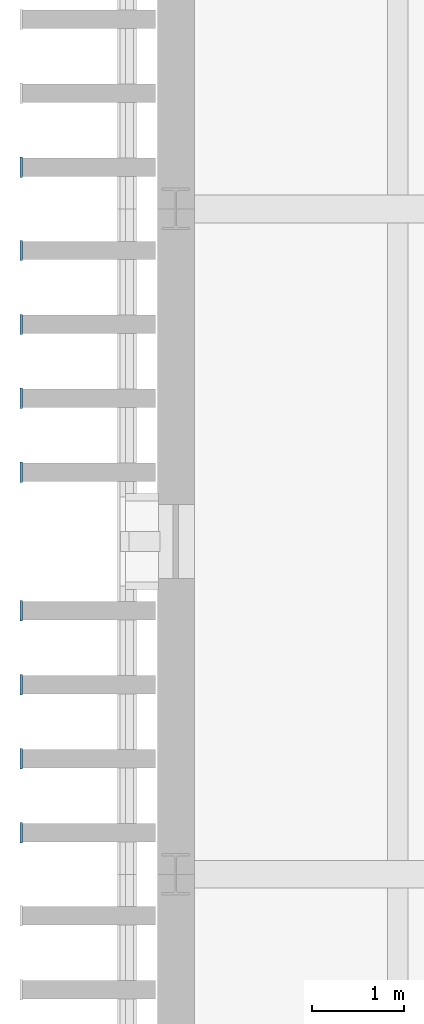
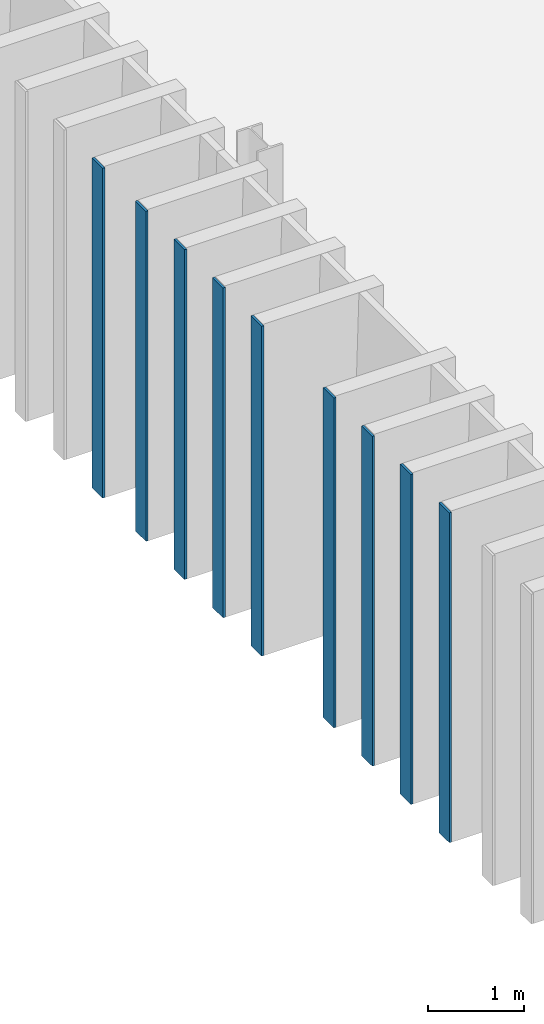
# One storey, part 43 of 91: 9 plates.
"""IFC4 building model written with IfcOpenShell, lengths in metres."""

from ifc_helpers import new_model, si_unit, direction, frame, origin, origin_2d, place, context, subcontext, project, spatial, rectangle, extrude, material, layer, layer_set, type_object, element, save


model = new_model("IFC4")

# Units and contexts
model_context = context("Model", 3, precision=1e-05, world=origin(), true_north=direction((0.0, 1.0)))
body_context = subcontext(model_context, "Body", "Model", "MODEL_VIEW")
ifc_project = project(units=[si_unit("LENGTHUNIT", "METRE"), si_unit("AREAUNIT", "SQUARE_METRE"), si_unit("VOLUMEUNIT", "CUBIC_METRE"), si_unit("PLANEANGLEUNIT", "RADIAN"), si_unit("MASSUNIT", "GRAM", prefix="KILO")], contexts=[model_context])

# Site, building, storey
site_placement = place(None, origin())
site = spatial("IfcSite", under=ifc_project, at=site_placement, CompositionType="ELEMENT")
building_placement = place(site_placement, origin())
building = spatial("IfcBuilding", under=site, at=building_placement, Name="Narikvali Park Central Library", CompositionType="ELEMENT")
storey_placement = place(building_placement, frame((0.0, 0.0, 14.39990234375)))
storey = spatial("IfcBuildingStorey", under=building, at=storey_placement, Name="L03", CompositionType="ELEMENT", Elevation=14.39990234375)

# Plates
ifc_material = material(Name="Anodised Bronze Aluminium", Category="aluminium")
ifc_layer = layer(ifc_material, 0.028076171875, Name="Anodised Bronze Aluminium")
ifc_layer_set = layer_set([ifc_layer], Name="Anodised Bronze Aluminium")
plate_type = type_object("IfcPlateType", Name="Vertical Brick Fin Bronze Bullnose Cap 28", PredefinedType="SHEET", material=ifc_layer_set)
for number, where, z_axis, x_axis, name in (
    (1, (-1.672119140625, 79.64990234375, 0.01025390625), (0.0, 0.0, 1.0), (1.0, 0.0, 0.0), "West Stacks Fin Bullnose Trim 316"),
    (2, (-1.672119140625, 80.449951171875, 0.01025390625), (0.0, 0.0, 1.0), (1.0, 0.0, 0.0), "West Stacks Fin Bullnose Trim 322"),
    (3, (-1.672119140625, 81.25, 0.01025390625), (0.0, 0.0, 1.0), (1.0, 0.0, 0.0), "West Stacks Fin Bullnose Trim 328"),
    (4, (-1.672119140625, 82.050048828125, 0.01025390625), (0.0, 0.0, 1.0), (1.0, 0.0, 0.0), "West Stacks Fin Bullnose Trim 334"),
    (5, (-1.672119140625, 83.550048828125, 0.01025390625), (0.0, 0.0, 1.0), (1.0, 0.0, 0.0), "West Stacks Fin Bullnose Trim 340"),
    (6, (-1.672119140625, 84.35009765625, 0.01025390625), (0.0, 0.0, 1.0), (1.0, 0.0, 0.0), "West Stacks Fin Bullnose Trim 346"),
    (7, (-1.672119140625, 85.14990234375, 0.01025390625), (0.0, 0.0, 1.0), (1.0, 0.0, 0.0), "West Stacks Fin Bullnose Trim 352"),
    (8, (-1.672119140625, 85.949951171875, 0.01025390625), (0.0, 0.0, 1.0), (1.0, 0.0, 0.0), "West Stacks Fin Bullnose Trim 358"),
    (9, (-1.672119140625, 86.85009765625, 0.01025390625), (0.0, 0.0, 1.0), (1.0, 0.0, 0.0), "West Stacks Fin Bullnose Trim 364"),
):
    element("IfcPlate", number, at=place(storey_placement, frame(where, z_axis=z_axis, x_axis=x_axis)), inside=storey, type_object=plate_type, Name=name, PredefinedType="SHEET", context=body_context, shape_type="SweptSolid", body=[
        extrude(rectangle(XDim=0.028076171875, YDim=0.219970703125, at=origin_2d()), origin(), (0.0, 0.0, 1.0), 4.179931640625),
    ])

save(model, "model.ifc")
